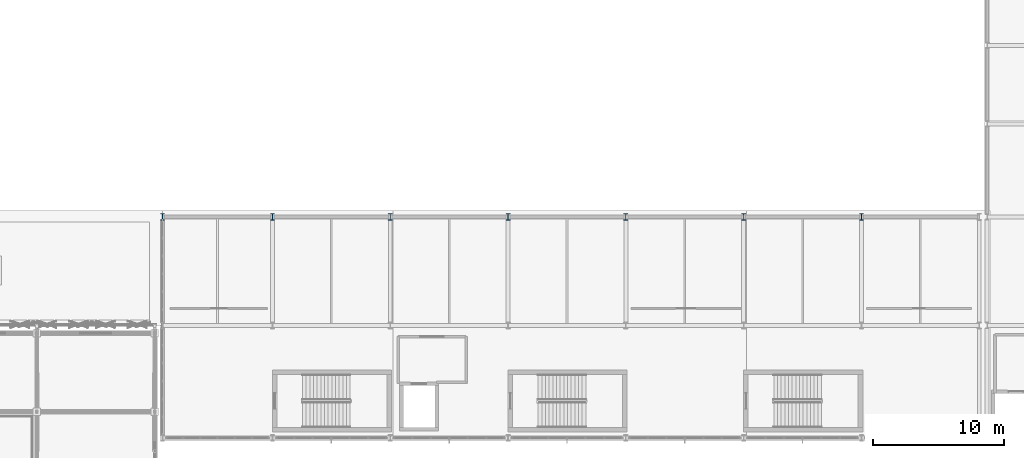
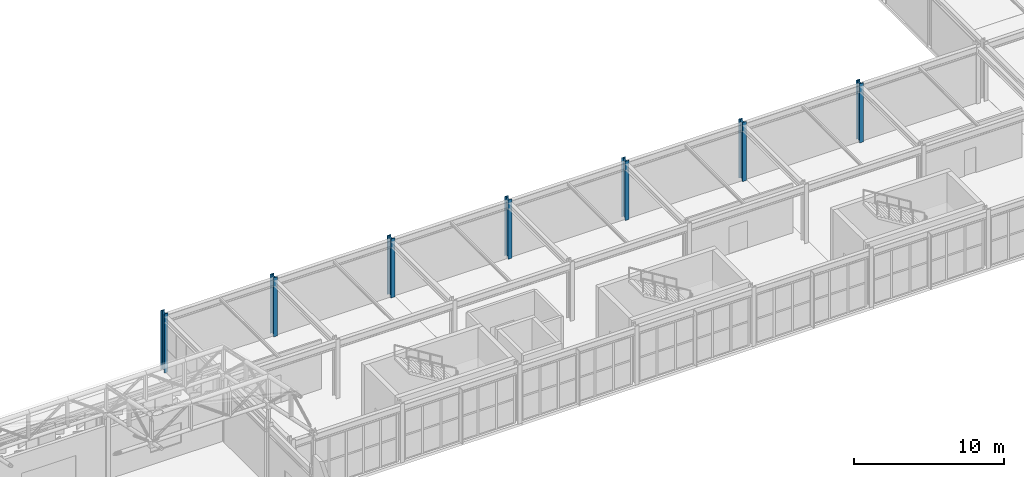
# One storey, part 4 of 112: 7 columns.
"""IFC4 building model written with IfcOpenShell, lengths in metres."""

from ifc_helpers import new_model, si_unit, direction, frame, origin, origin_2d, place, context, subcontext, project, spatial, i_section, extrude, material, material_profile, profile_set, type_object, element, save


model = new_model("IFC4")

# Units and contexts
model_context = context("Model", 3, precision=1e-05, world=origin(), true_north=direction((0.0, 1.0)))
body_context = subcontext(model_context, "Body", "Model", "MODEL_VIEW")
ifc_project = project(units=[si_unit("LENGTHUNIT", "METRE"), si_unit("AREAUNIT", "SQUARE_METRE"), si_unit("VOLUMEUNIT", "CUBIC_METRE"), si_unit("PLANEANGLEUNIT", "RADIAN"), si_unit("MASSUNIT", "GRAM", prefix="KILO")], contexts=[model_context])

# Site, building, storey
site_placement = place(None, origin())
site = spatial("IfcSite", under=ifc_project, at=site_placement, CompositionType="ELEMENT")
building_placement = place(site_placement, origin())
building = spatial("IfcBuilding", under=site, at=building_placement, Name="Kaldris Quays Convention Centre", CompositionType="ELEMENT")
storey_placement = place(building_placement, frame((0.0, 0.0, 16.800048828125)))
storey = spatial("IfcBuildingStorey", under=building, at=storey_placement, Name="L03", CompositionType="ELEMENT", Elevation=16.800048828125)

# Columns
ifc_material = material(Name="Steel S355J2", Category="steel")
ifc_material_profile = material_profile(ifc_material, i_section(OverallWidth=0.300048828125, OverallDepth=0.5, WebThickness=0.014404296875, FlangeThickness=0.028076171875, FilletRadius=0.027099609375, at=origin_2d()), Name="HEB 500")
ifc_profile_set = profile_set([ifc_material_profile], Name="Steel S355J2")
column_type = type_object("IfcColumnType", Name="STRUCTURAL COLUMN CL07", PredefinedType="COLUMN", material=ifc_profile_set)
for number, where, z_axis, x_axis, name in (
    (1, (83.60009765625, 54.89990234375, 0.0), (0.0, 0.0, 1.0), (1.0, 0.0, 0.0), "L03 V4 Column CL07 (83.60, 54.90)"),
    (2, (92.0, 54.89990234375, 0.0), (0.0, 0.0, 1.0), (1.0, 0.0, 0.0), "L03 V4 Column CL07 (92.00, 54.90)"),
    (3, (101.0, 54.89990234375, 0.0), (0.0, 0.0, 1.0), (1.0, 0.0, 0.0), "L03 V4 Column CL07 (101.00, 54.90)"),
    (4, (110.0, 54.89990234375, 0.0), (0.0, 0.0, 1.0), (1.0, 0.0, 0.0), "L03 V4 Column CL07 (110.00, 54.90)"),
    (5, (119.0, 54.89990234375, 0.0), (0.0, 0.0, 1.0), (1.0, 0.0, 0.0), "L03 V4 Column CL07 (119.00, 54.90)"),
    (6, (128.0, 54.89990234375, 0.0), (0.0, 0.0, 1.0), (1.0, 0.0, 0.0), "L03 V4 Column CL07 (128.00, 54.90)"),
    (7, (137.0, 54.89990234375, 0.0), (0.0, 0.0, 1.0), (1.0, 0.0, 0.0), "L03 V4 Column CL07 (137.00, 54.90)"),
):
    element("IfcColumn", number, at=place(storey_placement, frame(where, z_axis=z_axis, x_axis=x_axis)), inside=storey, type_object=column_type, Name=name, PredefinedType="COLUMN", context=body_context, shape_type="SweptSolid", body=[
        extrude(i_section(OverallWidth=0.300048828125, OverallDepth=0.5, WebThickness=0.014404296875, FlangeThickness=0.028076171875, FilletRadius=0.027099609375, at=origin_2d()), origin(), (0.0, 0.0, 1.0), 4.800048828125),
    ])

save(model, "model.ifc")
